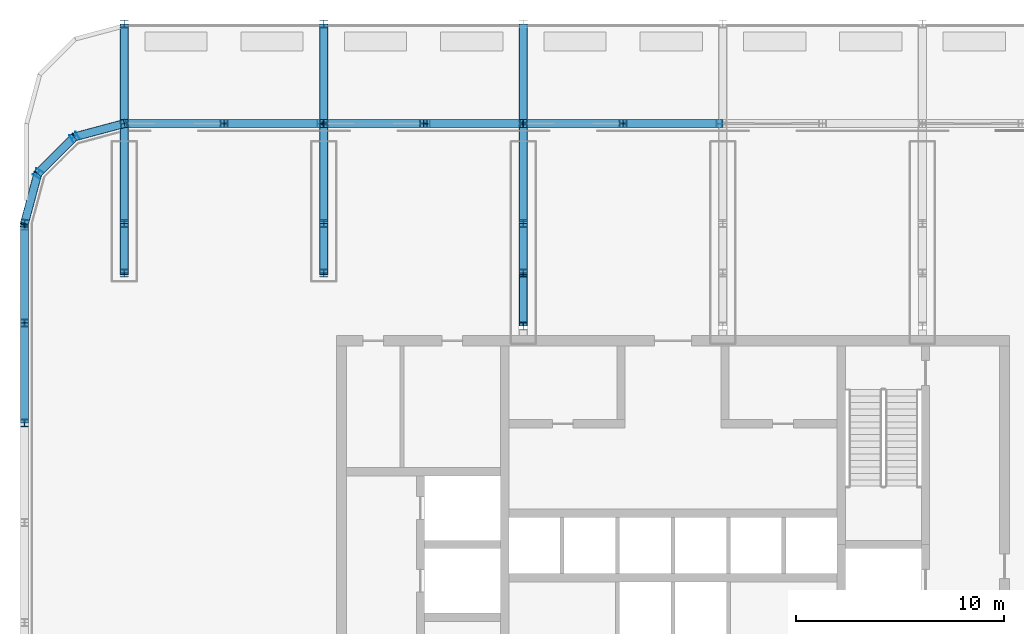
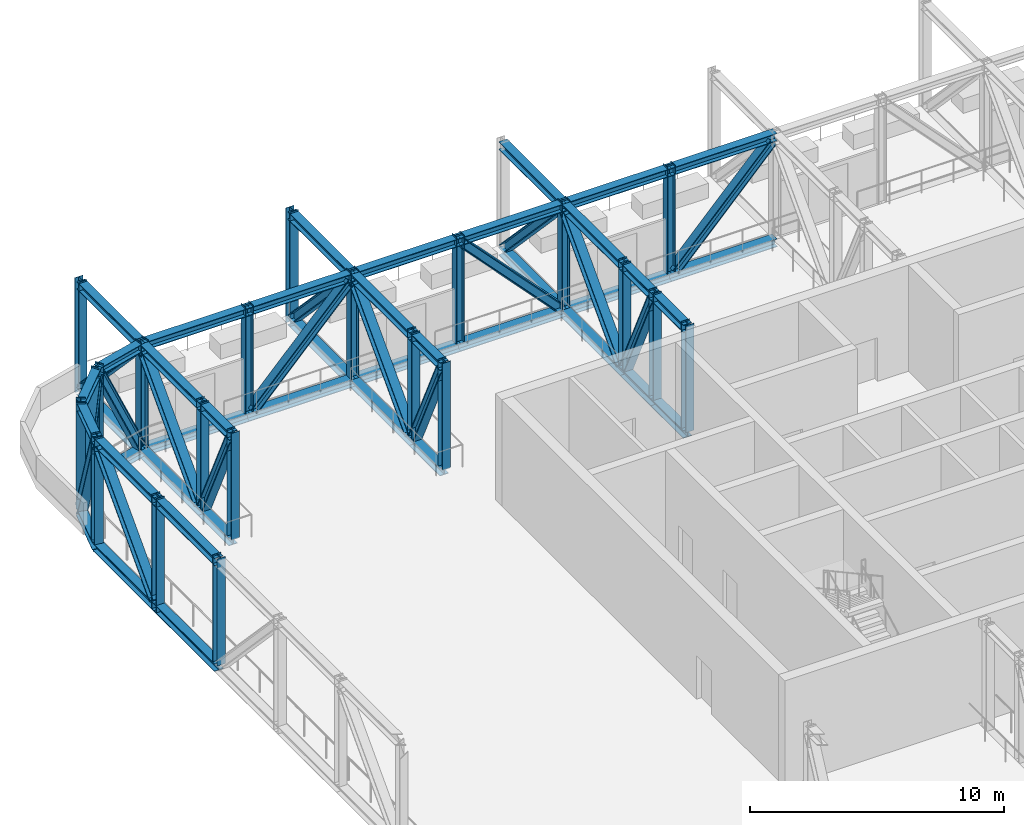
# One storey, part 5 of 16: 78 members.
"""IFC4 building model written with IfcOpenShell, lengths in metres."""

from ifc_helpers import new_model, si_unit, direction, frame, origin, origin_2d, place, context, subcontext, project, spatial, i_section, extrude, material, material_profile, profile_set, type_object, element, save


model = new_model("IFC4")

# Units and contexts
model_context = context("Model", 3, precision=1e-05, world=origin(), true_north=direction((0.0, 1.0)))
body_context = subcontext(model_context, "Body", "Model", "MODEL_VIEW")
ifc_project = project(units=[si_unit("LENGTHUNIT", "METRE"), si_unit("AREAUNIT", "SQUARE_METRE"), si_unit("VOLUMEUNIT", "CUBIC_METRE"), si_unit("PLANEANGLEUNIT", "RADIAN"), si_unit("MASSUNIT", "GRAM", prefix="KILO")], contexts=[model_context])

# Site, building, storey
site_placement = place(None, origin())
site = spatial("IfcSite", under=ifc_project, at=site_placement, CompositionType="ELEMENT")
building_placement = place(site_placement, origin())
building = spatial("IfcBuilding", under=site, at=building_placement, Name="Madar Terraces", CompositionType="ELEMENT")
storey_placement = place(building_placement, frame((0.0, 0.0, 263.199951171875)))
storey = spatial("IfcBuildingStorey", under=building, at=storey_placement, Name="L69", CompositionType="ELEMENT", Elevation=263.199951171875)

# Members
ifc_material_1 = material(Name="Steel ASTM A992 Grade 50", Category="steel")
ifc_material_profile_1 = material_profile(ifc_material_1, i_section(OverallWidth=0.396240234375, OverallDepth=0.381103515625, WebThickness=0.01904296875, FlangeThickness=0.0302734375, at=origin_2d()), Name="W14x159")
ifc_profile_set_1 = profile_set([ifc_material_profile_1], Name="Steel ASTM A992 Grade 50")
member_type_1 = type_object("IfcMemberType", Name="BC9 W14x159", PredefinedType="CHORD", material=ifc_profile_set_1)
for number, where, z_axis, x_axis, name in (
    (1, (33.60009765625, 48.0, -0.2294921875), (-1.0, 0.0, 0.0), (0.0, -1.0, 0.0), "Exoskeleton truss ring bottom chord BC9"),
    (2, (28.800048828125, 48.0, -0.2294921875), (-1.0, 0.0, 0.0), (0.0, -1.0, 0.0), "Exoskeleton truss ring bottom chord BC9"),
    (3, (24.0, 48.0, -0.2294921875), (-1.0, 0.0, 0.0), (0.0, -1.0, 0.0), "Exoskeleton truss ring bottom chord BC9"),
    (4, (19.199951171875, 48.0, -0.2294921875), (-1.0, 0.0, 0.0), (0.0, -1.0, 0.0), "Exoskeleton truss ring bottom chord BC9"),
):
    element("IfcMember", number, at=place(storey_placement, frame(where, z_axis=z_axis, x_axis=x_axis)), inside=storey, type_object=member_type_1, Name=name, PredefinedType="CHORD", context=body_context, shape_type="SweptSolid", body=[
        extrude(i_section(OverallWidth=0.396240234375, OverallDepth=0.381103515625, WebThickness=0.01904296875, FlangeThickness=0.0302734375, at=origin_2d()), origin(), (0.0, 0.0, 1.0), 4.800048828125),
    ])
member_1_placement = place(storey_placement, frame((14.39990234375, 48.0, -0.2294921875), z_axis=(-1.0, 0.0, 0.0), x_axis=(0.0, -1.0, 0.0)))
element("IfcMember", 5, at=member_1_placement, inside=storey, type_object=member_type_1, Name="Exoskeleton truss ring bottom chord BC9", PredefinedType="CHORD", context=body_context, shape_type="SweptSolid", body=[
    extrude(i_section(OverallWidth=0.396240234375, OverallDepth=0.381103515625, WebThickness=0.01904296875, FlangeThickness=0.0302734375, at=origin_2d()), origin(), (0.0, 0.0, 1.0), 4.7998046875),
])
member_2_placement = place(storey_placement, frame((9.60009765625, 48.0, -0.2294921875), z_axis=(-1.0, 0.0, 0.0), x_axis=(0.0, -1.0, 0.0)))
element("IfcMember", 6, at=member_2_placement, inside=storey, type_object=member_type_1, Name="Exoskeleton truss ring bottom chord BC9", PredefinedType="CHORD", context=body_context, shape_type="SweptSolid", body=[
    extrude(i_section(OverallWidth=0.396240234375, OverallDepth=0.381103515625, WebThickness=0.01904296875, FlangeThickness=0.0302734375, at=origin_2d()), origin(), (0.0, 0.0, 1.0), 4.800048828125),
])
member_3_placement = place(storey_placement, frame((4.800048828125, 48.0, -0.2294921875), z_axis=(-0.965930947833, -0.258799930484, 0.0), x_axis=(0.258799930484, -0.965930947833, 0.0)))
element("IfcMember", 7, at=member_3_placement, inside=storey, type_object=member_type_1, Name="Exoskeleton truss ring bottom chord BC9", PredefinedType="CHORD", context=body_context, shape_type="SweptSolid", body=[
    extrude(i_section(OverallWidth=0.396240234375, OverallDepth=0.381103515625, WebThickness=0.01904296875, FlangeThickness=0.0302734375, at=origin_2d()), origin(), (0.0, 0.0, 1.0), 2.48486328125),
])
member_4_placement = place(storey_placement, frame((2.39990234375, 47.35693359375, -0.2294921875), z_axis=(-0.707106781187, -0.707106781187, 0.0), x_axis=(0.707106781187, -0.707106781187, 0.0)))
element("IfcMember", 8, at=member_4_placement, inside=storey, type_object=member_type_1, Name="Exoskeleton truss ring bottom chord BC9", PredefinedType="CHORD", context=body_context, shape_type="SweptSolid", body=[
    extrude(i_section(OverallWidth=0.396240234375, OverallDepth=0.381103515625, WebThickness=0.01904296875, FlangeThickness=0.0302734375, at=origin_2d()), origin(), (0.0, 0.0, 1.0), 2.484619140625),
])
member_5_placement = place(storey_placement, frame((0.64306640625, 45.60009765625, -0.2294921875), z_axis=(-0.258799930484, -0.965930947833, 0.0), x_axis=(0.965930947833, -0.258799930484, 0.0)))
element("IfcMember", 9, at=member_5_placement, inside=storey, type_object=member_type_1, Name="Exoskeleton truss ring bottom chord BC9", PredefinedType="CHORD", context=body_context, shape_type="SweptSolid", body=[
    extrude(i_section(OverallWidth=0.396240234375, OverallDepth=0.381103515625, WebThickness=0.01904296875, FlangeThickness=0.0302734375, at=origin_2d()), origin(), (0.0, 0.0, 1.0), 2.48486328125),
])
member_6_placement = place(storey_placement, frame((0.0, 43.199951171875, -0.2294921875), z_axis=(0.0, -1.0, 0.0), x_axis=(1.0, 0.0, 0.0)))
element("IfcMember", 10, at=member_6_placement, inside=storey, type_object=member_type_1, Name="Exoskeleton truss ring bottom chord BC9", PredefinedType="CHORD", context=body_context, shape_type="SweptSolid", body=[
    extrude(i_section(OverallWidth=0.396240234375, OverallDepth=0.381103515625, WebThickness=0.01904296875, FlangeThickness=0.0302734375, at=origin_2d()), origin(), (0.0, 0.0, 1.0), 4.800048828125),
])
member_7_placement = place(storey_placement, frame((0.0, 38.39990234375, -0.2294921875), z_axis=(0.0, -1.0, 0.0), x_axis=(1.0, 0.0, 0.0)))
element("IfcMember", 11, at=member_7_placement, inside=storey, type_object=member_type_1, Name="Exoskeleton truss ring bottom chord BC9", PredefinedType="CHORD", context=body_context, shape_type="SweptSolid", body=[
    extrude(i_section(OverallWidth=0.396240234375, OverallDepth=0.381103515625, WebThickness=0.01904296875, FlangeThickness=0.0302734375, at=origin_2d()), origin(), (0.0, 0.0, 1.0), 4.7998046875),
])
for number, where, z_axis, x_axis, name in (
    (12, (4.800048828125, 52.800048828125, -0.2294921875), (0.0, -1.0, 0.0), (1.0, 0.0, 0.0), "Exoskeleton truss cross N4.8 bottom chord BC9"),
    (13, (4.800048828125, 47.802001953125, -0.2294921875), (0.0, -1.0, 0.0), (1.0, 0.0, 0.0), "Exoskeleton truss cross N4.8 bottom chord BC9"),
):
    element("IfcMember", number, at=place(storey_placement, frame(where, z_axis=z_axis, x_axis=x_axis)), inside=storey, type_object=member_type_1, Name=name, PredefinedType="CHORD", context=body_context, shape_type="SweptSolid", body=[
        extrude(i_section(OverallWidth=0.396240234375, OverallDepth=0.381103515625, WebThickness=0.01904296875, FlangeThickness=0.0302734375, at=origin_2d()), origin(), (0.0, 0.0, 1.0), 4.60205078125),
    ])
member_8_placement = place(storey_placement, frame((4.800048828125, 43.199951171875, -0.2294921875), z_axis=(0.0, -1.0, 0.0), x_axis=(1.0, 0.0, 0.0)))
element("IfcMember", 14, at=member_8_placement, inside=storey, type_object=member_type_1, Name="Exoskeleton truss cross N4.8 bottom chord BC9", PredefinedType="CHORD", context=body_context, shape_type="SweptSolid", body=[
    extrude(i_section(OverallWidth=0.396240234375, OverallDepth=0.381103515625, WebThickness=0.01904296875, FlangeThickness=0.0302734375, at=origin_2d()), origin(), (0.0, 0.0, 1.0), 2.39990234375),
])
for number, where, z_axis, x_axis, name in (
    (15, (14.39990234375, 52.800048828125, -0.2294921875), (0.0, -1.0, 0.0), (1.0, 0.0, 0.0), "Exoskeleton truss cross N14.4 bottom chord BC9"),
    (16, (14.39990234375, 47.802001953125, -0.2294921875), (0.0, -1.0, 0.0), (1.0, 0.0, 0.0), "Exoskeleton truss cross N14.4 bottom chord BC9"),
):
    element("IfcMember", number, at=place(storey_placement, frame(where, z_axis=z_axis, x_axis=x_axis)), inside=storey, type_object=member_type_1, Name=name, PredefinedType="CHORD", context=body_context, shape_type="SweptSolid", body=[
        extrude(i_section(OverallWidth=0.396240234375, OverallDepth=0.381103515625, WebThickness=0.01904296875, FlangeThickness=0.0302734375, at=origin_2d()), origin(), (0.0, 0.0, 1.0), 4.60205078125),
    ])
member_9_placement = place(storey_placement, frame((14.39990234375, 43.199951171875, -0.2294921875), z_axis=(0.0, -1.0, 0.0), x_axis=(1.0, 0.0, 0.0)))
element("IfcMember", 17, at=member_9_placement, inside=storey, type_object=member_type_1, Name="Exoskeleton truss cross N14.4 bottom chord BC9", PredefinedType="CHORD", context=body_context, shape_type="SweptSolid", body=[
    extrude(i_section(OverallWidth=0.396240234375, OverallDepth=0.381103515625, WebThickness=0.01904296875, FlangeThickness=0.0302734375, at=origin_2d()), origin(), (0.0, 0.0, 1.0), 2.39990234375),
])
for number, where, z_axis, x_axis, name in (
    (18, (24.0, 52.800048828125, -0.2294921875), (0.0, -1.0, 0.0), (1.0, 0.0, 0.0), "Exoskeleton truss cross N24 bottom chord BC9"),
    (19, (24.0, 47.802001953125, -0.2294921875), (0.0, -1.0, 0.0), (1.0, 0.0, 0.0), "Exoskeleton truss cross N24 bottom chord BC9"),
):
    element("IfcMember", number, at=place(storey_placement, frame(where, z_axis=z_axis, x_axis=x_axis)), inside=storey, type_object=member_type_1, Name=name, PredefinedType="CHORD", context=body_context, shape_type="SweptSolid", body=[
        extrude(i_section(OverallWidth=0.396240234375, OverallDepth=0.381103515625, WebThickness=0.01904296875, FlangeThickness=0.0302734375, at=origin_2d()), origin(), (0.0, 0.0, 1.0), 4.60205078125),
    ])
member_10_placement = place(storey_placement, frame((24.0, 43.199951171875, -0.2294921875), z_axis=(0.0, -1.0, 0.0), x_axis=(1.0, 0.0, 0.0)))
element("IfcMember", 20, at=member_10_placement, inside=storey, type_object=member_type_1, Name="Exoskeleton truss cross N24 bottom chord BC9", PredefinedType="CHORD", context=body_context, shape_type="SweptSolid", body=[
    extrude(i_section(OverallWidth=0.396240234375, OverallDepth=0.381103515625, WebThickness=0.01904296875, FlangeThickness=0.0302734375, at=origin_2d()), origin(), (0.0, 0.0, 1.0), 2.39990234375),
])
member_11_placement = place(storey_placement, frame((24.0, 40.800048828125, -0.2294921875), z_axis=(0.0, -1.0, 0.0), x_axis=(1.0, 0.0, 0.0)))
element("IfcMember", 21, at=member_11_placement, inside=storey, type_object=member_type_1, Name="Exoskeleton truss cross N24 bottom chord BC9", PredefinedType="CHORD", context=body_context, shape_type="SweptSolid", body=[
    extrude(i_section(OverallWidth=0.396240234375, OverallDepth=0.381103515625, WebThickness=0.01904296875, FlangeThickness=0.0302734375, at=origin_2d()), origin(), (0.0, 0.0, 1.0), 2.550048828125),
])
ifc_material_2 = material(Name="Steel ASTM A992 Grade 50", Category="steel")
ifc_material_profile_2 = material_profile(ifc_material_2, i_section(OverallWidth=0.373291015625, OverallDepth=0.373291015625, WebThickness=0.016357421875, FlangeThickness=0.026123046875, at=origin_2d()), Name="W14x132")
ifc_profile_set_2 = profile_set([ifc_material_profile_2], Name="Steel ASTM A992 Grade 50")
member_type_2 = type_object("IfcMemberType", Name="TC9 W14x132", PredefinedType="CHORD", material=ifc_profile_set_2)
for number, where, z_axis, x_axis, name in (
    (22, (33.60009765625, 48.0, 4.84326171875), (-1.0, 0.0, 0.0), (0.0, -1.0, 0.0), "Exoskeleton truss ring top chord TC9"),
    (23, (28.800048828125, 48.0, 4.84326171875), (-1.0, 0.0, 0.0), (0.0, -1.0, 0.0), "Exoskeleton truss ring top chord TC9"),
    (24, (24.0, 48.0, 4.84326171875), (-1.0, 0.0, 0.0), (0.0, -1.0, 0.0), "Exoskeleton truss ring top chord TC9"),
    (25, (19.199951171875, 48.0, 4.84326171875), (-1.0, 0.0, 0.0), (0.0, -1.0, 0.0), "Exoskeleton truss ring top chord TC9"),
):
    element("IfcMember", number, at=place(storey_placement, frame(where, z_axis=z_axis, x_axis=x_axis)), inside=storey, type_object=member_type_2, Name=name, PredefinedType="CHORD", context=body_context, shape_type="SweptSolid", body=[
        extrude(i_section(OverallWidth=0.373291015625, OverallDepth=0.373291015625, WebThickness=0.016357421875, FlangeThickness=0.026123046875, at=origin_2d()), origin(), (0.0, 0.0, 1.0), 4.800048828125),
    ])
member_12_placement = place(storey_placement, frame((14.39990234375, 48.0, 4.84326171875), z_axis=(-1.0, 0.0, 0.0), x_axis=(0.0, -1.0, 0.0)))
element("IfcMember", 26, at=member_12_placement, inside=storey, type_object=member_type_2, Name="Exoskeleton truss ring top chord TC9", PredefinedType="CHORD", context=body_context, shape_type="SweptSolid", body=[
    extrude(i_section(OverallWidth=0.373291015625, OverallDepth=0.373291015625, WebThickness=0.016357421875, FlangeThickness=0.026123046875, at=origin_2d()), origin(), (0.0, 0.0, 1.0), 4.7998046875),
])
member_13_placement = place(storey_placement, frame((9.60009765625, 48.0, 4.84326171875), z_axis=(-1.0, 0.0, 0.0), x_axis=(0.0, -1.0, 0.0)))
element("IfcMember", 27, at=member_13_placement, inside=storey, type_object=member_type_2, Name="Exoskeleton truss ring top chord TC9", PredefinedType="CHORD", context=body_context, shape_type="SweptSolid", body=[
    extrude(i_section(OverallWidth=0.373291015625, OverallDepth=0.373291015625, WebThickness=0.016357421875, FlangeThickness=0.026123046875, at=origin_2d()), origin(), (0.0, 0.0, 1.0), 4.800048828125),
])
member_14_placement = place(storey_placement, frame((4.800048828125, 48.0, 4.84326171875), z_axis=(-0.965930947833, -0.258799930484, 0.0), x_axis=(0.258799930484, -0.965930947833, 0.0)))
element("IfcMember", 28, at=member_14_placement, inside=storey, type_object=member_type_2, Name="Exoskeleton truss ring top chord TC9", PredefinedType="CHORD", context=body_context, shape_type="SweptSolid", body=[
    extrude(i_section(OverallWidth=0.373291015625, OverallDepth=0.373291015625, WebThickness=0.016357421875, FlangeThickness=0.026123046875, at=origin_2d()), origin(), (0.0, 0.0, 1.0), 2.48486328125),
])
member_15_placement = place(storey_placement, frame((2.39990234375, 47.35693359375, 4.84326171875), z_axis=(-0.707106781187, -0.707106781187, 0.0), x_axis=(0.707106781187, -0.707106781187, 0.0)))
element("IfcMember", 29, at=member_15_placement, inside=storey, type_object=member_type_2, Name="Exoskeleton truss ring top chord TC9", PredefinedType="CHORD", context=body_context, shape_type="SweptSolid", body=[
    extrude(i_section(OverallWidth=0.373291015625, OverallDepth=0.373291015625, WebThickness=0.016357421875, FlangeThickness=0.026123046875, at=origin_2d()), origin(), (0.0, 0.0, 1.0), 2.484619140625),
])
member_16_placement = place(storey_placement, frame((0.64306640625, 45.60009765625, 4.84326171875), z_axis=(-0.258799930484, -0.965930947833, 0.0), x_axis=(0.965930947833, -0.258799930484, 0.0)))
element("IfcMember", 30, at=member_16_placement, inside=storey, type_object=member_type_2, Name="Exoskeleton truss ring top chord TC9", PredefinedType="CHORD", context=body_context, shape_type="SweptSolid", body=[
    extrude(i_section(OverallWidth=0.373291015625, OverallDepth=0.373291015625, WebThickness=0.016357421875, FlangeThickness=0.026123046875, at=origin_2d()), origin(), (0.0, 0.0, 1.0), 2.48486328125),
])
member_17_placement = place(storey_placement, frame((0.0, 43.199951171875, 4.84326171875), z_axis=(0.0, -1.0, 0.0), x_axis=(1.0, 0.0, 0.0)))
element("IfcMember", 31, at=member_17_placement, inside=storey, type_object=member_type_2, Name="Exoskeleton truss ring top chord TC9", PredefinedType="CHORD", context=body_context, shape_type="SweptSolid", body=[
    extrude(i_section(OverallWidth=0.373291015625, OverallDepth=0.373291015625, WebThickness=0.016357421875, FlangeThickness=0.026123046875, at=origin_2d()), origin(), (0.0, 0.0, 1.0), 4.800048828125),
])
member_18_placement = place(storey_placement, frame((0.0, 38.39990234375, 4.84326171875), z_axis=(0.0, -1.0, 0.0), x_axis=(1.0, 0.0, 0.0)))
element("IfcMember", 32, at=member_18_placement, inside=storey, type_object=member_type_2, Name="Exoskeleton truss ring top chord TC9", PredefinedType="CHORD", context=body_context, shape_type="SweptSolid", body=[
    extrude(i_section(OverallWidth=0.373291015625, OverallDepth=0.373291015625, WebThickness=0.016357421875, FlangeThickness=0.026123046875, at=origin_2d()), origin(), (0.0, 0.0, 1.0), 4.7998046875),
])
for number, where, z_axis, x_axis, name in (
    (33, (4.800048828125, 52.800048828125, 4.84326171875), (0.0, -1.0, 0.0), (1.0, 0.0, 0.0), "Exoskeleton truss cross N4.8 top chord TC9"),
    (34, (4.800048828125, 47.813232421875, 4.84326171875), (0.0, -1.0, 0.0), (1.0, 0.0, 0.0), "Exoskeleton truss cross N4.8 top chord TC9"),
):
    element("IfcMember", number, at=place(storey_placement, frame(where, z_axis=z_axis, x_axis=x_axis)), inside=storey, type_object=member_type_2, Name=name, PredefinedType="CHORD", context=body_context, shape_type="SweptSolid", body=[
        extrude(i_section(OverallWidth=0.373291015625, OverallDepth=0.373291015625, WebThickness=0.016357421875, FlangeThickness=0.026123046875, at=origin_2d()), origin(), (0.0, 0.0, 1.0), 4.61328125),
    ])
member_19_placement = place(storey_placement, frame((4.800048828125, 43.199951171875, 4.84326171875), z_axis=(0.0, -1.0, 0.0), x_axis=(1.0, 0.0, 0.0)))
element("IfcMember", 35, at=member_19_placement, inside=storey, type_object=member_type_2, Name="Exoskeleton truss cross N4.8 top chord TC9", PredefinedType="CHORD", context=body_context, shape_type="SweptSolid", body=[
    extrude(i_section(OverallWidth=0.373291015625, OverallDepth=0.373291015625, WebThickness=0.016357421875, FlangeThickness=0.026123046875, at=origin_2d()), origin(), (0.0, 0.0, 1.0), 2.39990234375),
])
for number, where, z_axis, x_axis, name in (
    (36, (14.39990234375, 52.800048828125, 4.84326171875), (0.0, -1.0, 0.0), (1.0, 0.0, 0.0), "Exoskeleton truss cross N14.4 top chord TC9"),
    (37, (14.39990234375, 47.813232421875, 4.84326171875), (0.0, -1.0, 0.0), (1.0, 0.0, 0.0), "Exoskeleton truss cross N14.4 top chord TC9"),
):
    element("IfcMember", number, at=place(storey_placement, frame(where, z_axis=z_axis, x_axis=x_axis)), inside=storey, type_object=member_type_2, Name=name, PredefinedType="CHORD", context=body_context, shape_type="SweptSolid", body=[
        extrude(i_section(OverallWidth=0.373291015625, OverallDepth=0.373291015625, WebThickness=0.016357421875, FlangeThickness=0.026123046875, at=origin_2d()), origin(), (0.0, 0.0, 1.0), 4.61328125),
    ])
member_20_placement = place(storey_placement, frame((14.39990234375, 43.199951171875, 4.84326171875), z_axis=(0.0, -1.0, 0.0), x_axis=(1.0, 0.0, 0.0)))
element("IfcMember", 38, at=member_20_placement, inside=storey, type_object=member_type_2, Name="Exoskeleton truss cross N14.4 top chord TC9", PredefinedType="CHORD", context=body_context, shape_type="SweptSolid", body=[
    extrude(i_section(OverallWidth=0.373291015625, OverallDepth=0.373291015625, WebThickness=0.016357421875, FlangeThickness=0.026123046875, at=origin_2d()), origin(), (0.0, 0.0, 1.0), 2.39990234375),
])
for number, where, z_axis, x_axis, name in (
    (39, (24.0, 52.800048828125, 4.84326171875), (0.0, -1.0, 0.0), (1.0, 0.0, 0.0), "Exoskeleton truss cross N24 top chord TC9"),
    (40, (24.0, 47.813232421875, 4.84326171875), (0.0, -1.0, 0.0), (1.0, 0.0, 0.0), "Exoskeleton truss cross N24 top chord TC9"),
):
    element("IfcMember", number, at=place(storey_placement, frame(where, z_axis=z_axis, x_axis=x_axis)), inside=storey, type_object=member_type_2, Name=name, PredefinedType="CHORD", context=body_context, shape_type="SweptSolid", body=[
        extrude(i_section(OverallWidth=0.373291015625, OverallDepth=0.373291015625, WebThickness=0.016357421875, FlangeThickness=0.026123046875, at=origin_2d()), origin(), (0.0, 0.0, 1.0), 4.61328125),
    ])
member_21_placement = place(storey_placement, frame((24.0, 43.199951171875, 4.84326171875), z_axis=(0.0, -1.0, 0.0), x_axis=(1.0, 0.0, 0.0)))
element("IfcMember", 41, at=member_21_placement, inside=storey, type_object=member_type_2, Name="Exoskeleton truss cross N24 top chord TC9", PredefinedType="CHORD", context=body_context, shape_type="SweptSolid", body=[
    extrude(i_section(OverallWidth=0.373291015625, OverallDepth=0.373291015625, WebThickness=0.016357421875, FlangeThickness=0.026123046875, at=origin_2d()), origin(), (0.0, 0.0, 1.0), 2.39990234375),
])
member_22_placement = place(storey_placement, frame((24.0, 40.800048828125, 4.84326171875), z_axis=(0.0, -1.0, 0.0), x_axis=(1.0, 0.0, 0.0)))
element("IfcMember", 42, at=member_22_placement, inside=storey, type_object=member_type_2, Name="Exoskeleton truss cross N24 top chord TC9", PredefinedType="CHORD", context=body_context, shape_type="SweptSolid", body=[
    extrude(i_section(OverallWidth=0.373291015625, OverallDepth=0.373291015625, WebThickness=0.016357421875, FlangeThickness=0.026123046875, at=origin_2d()), origin(), (0.0, 0.0, 1.0), 2.550048828125),
])
ifc_material_3 = material(Name="Steel ASTM A992 Grade 50", Category="steel")
ifc_material_profile_3 = material_profile(ifc_material_3, i_section(OverallWidth=0.4013671875, OverallDepth=0.398681640625, WebThickness=0.02490234375, FlangeThickness=0.03955078125, at=origin_2d()), Name="W14x211")
ifc_profile_set_3 = profile_set([ifc_material_profile_3], Name="Steel ASTM A992 Grade 50")
member_type_3 = type_object("IfcMemberType", Name="TD9 W14x211", PredefinedType="BRACE", material=ifc_profile_set_3)
for number, where, z_axis, x_axis, name in (
    (43, (33.42333984375, 48.0, 4.65673828125), (-0.687293038858, 0.0, -0.726380257673), (0.0, -1.0, 0.0), "Exoskeleton truss ring diagonal TD9"),
    (44, (23.81982421875, 48.0, -0.0390625), (-0.687293038858, 0.0, 0.726380257673), (0.0, -1.0, 0.0), "Exoskeleton truss ring diagonal TD9"),
    (45, (14.223388671875, 48.0, 4.65673828125), (-0.687293038858, 0.0, -0.726380257673), (0.0, -1.0, 0.0), "Exoskeleton truss ring diagonal TD9"),
):
    element("IfcMember", number, at=place(storey_placement, frame(where, z_axis=z_axis, x_axis=x_axis)), inside=storey, type_object=member_type_3, Name=name, PredefinedType="BRACE", context=body_context, shape_type="SweptSolid", body=[
        extrude(i_section(OverallWidth=0.4013671875, OverallDepth=0.398681640625, WebThickness=0.02490234375, FlangeThickness=0.03955078125, at=origin_2d()), origin(), (0.0, 0.0, 1.0), 6.464599609375),
    ])
for number, where, z_axis, x_axis, name in (
    (46, (4.7099609375, 47.975830078125, -0.0390625), (-0.424890223402, -0.113833226885, 0.898059182078), (0.258785605263, -0.965934785847, 0.0), "Exoskeleton truss ring diagonal TD9"),
    (47, (2.33544921875, 47.292236328125, 4.65673828125), (-0.311057904871, -0.311011213501, -0.898061804607), (0.707053705054, -0.707159853336, 0.0), "Exoskeleton truss ring diagonal TD9"),
    (48, (0.618896484375, 45.509765625, -0.0390625), (-0.113835485125, -0.424851960278, 0.89807699791), (0.965927676111, -0.258812141374, 0.0), "Exoskeleton truss ring diagonal TD9"),
):
    element("IfcMember", number, at=place(storey_placement, frame(where, z_axis=z_axis, x_axis=x_axis)), inside=storey, type_object=member_type_3, Name=name, PredefinedType="BRACE", context=body_context, shape_type="SweptSolid", body=[
        extrude(i_section(OverallWidth=0.4013671875, OverallDepth=0.398681640625, WebThickness=0.02490234375, FlangeThickness=0.03955078125, at=origin_2d()), origin(), (0.0, 0.0, 1.0), 5.228759765625),
    ])
member_23_placement = place(storey_placement, frame((0.0, 43.0234375, 4.65673828125), z_axis=(0.0, -0.687293038858, -0.726380257673), x_axis=(1.0, 0.0, 0.0)))
element("IfcMember", 49, at=member_23_placement, inside=storey, type_object=member_type_3, Name="Exoskeleton truss ring diagonal TD9", PredefinedType="BRACE", context=body_context, shape_type="SweptSolid", body=[
    extrude(i_section(OverallWidth=0.4013671875, OverallDepth=0.398681640625, WebThickness=0.02490234375, FlangeThickness=0.03955078125, at=origin_2d()), origin(), (0.0, 0.0, 1.0), 6.464599609375),
])
for number, where, z_axis, x_axis, name in (
    (50, (4.800048828125, 52.61962890625, -0.0390625), (0.0, -0.687292950372, 0.726380341398), (1.0, 0.0, 0.0), "Exoskeleton truss cross N4.8 diagonal TD9"),
    (51, (4.800048828125, 47.802001953125, 4.634033203125), (0.0, -0.687292950372, -0.726380341398), (1.0, 0.0, 0.0), "Exoskeleton truss cross N4.8 diagonal TD9"),
):
    element("IfcMember", number, at=place(storey_placement, frame(where, z_axis=z_axis, x_axis=x_axis)), inside=storey, type_object=member_type_3, Name=name, PredefinedType="BRACE", context=body_context, shape_type="SweptSolid", body=[
        extrude(i_section(OverallWidth=0.4013671875, OverallDepth=0.398681640625, WebThickness=0.02490234375, FlangeThickness=0.03955078125, at=origin_2d()), origin(), (0.0, 0.0, 1.0), 6.433349609375),
    ])
member_24_placement = place(storey_placement, frame((4.800048828125, 43.10986328125, -0.0390625), z_axis=(0.0, -0.427631731749, 0.903953041923), x_axis=(1.0, 0.0, 0.0)))
element("IfcMember", 52, at=member_24_placement, inside=storey, type_object=member_type_3, Name="Exoskeleton truss cross N4.8 diagonal TD9", PredefinedType="BRACE", context=body_context, shape_type="SweptSolid", body=[
    extrude(i_section(OverallWidth=0.4013671875, OverallDepth=0.398681640625, WebThickness=0.02490234375, FlangeThickness=0.03955078125, at=origin_2d()), origin(), (0.0, 0.0, 1.0), 5.19482421875),
])
for number, where, z_axis, x_axis, name in (
    (53, (14.39990234375, 52.61962890625, -0.0390625), (0.0, -0.687292950372, 0.726380341398), (1.0, 0.0, 0.0), "Exoskeleton truss cross N14.4 diagonal TD9"),
    (54, (14.39990234375, 47.802001953125, 4.634033203125), (0.0, -0.687292950372, -0.726380341398), (1.0, 0.0, 0.0), "Exoskeleton truss cross N14.4 diagonal TD9"),
):
    element("IfcMember", number, at=place(storey_placement, frame(where, z_axis=z_axis, x_axis=x_axis)), inside=storey, type_object=member_type_3, Name=name, PredefinedType="BRACE", context=body_context, shape_type="SweptSolid", body=[
        extrude(i_section(OverallWidth=0.4013671875, OverallDepth=0.398681640625, WebThickness=0.02490234375, FlangeThickness=0.03955078125, at=origin_2d()), origin(), (0.0, 0.0, 1.0), 6.433349609375),
    ])
member_25_placement = place(storey_placement, frame((14.39990234375, 43.10986328125, -0.0390625), z_axis=(0.0, -0.427631731749, 0.903953041923), x_axis=(1.0, 0.0, 0.0)))
element("IfcMember", 55, at=member_25_placement, inside=storey, type_object=member_type_3, Name="Exoskeleton truss cross N14.4 diagonal TD9", PredefinedType="BRACE", context=body_context, shape_type="SweptSolid", body=[
    extrude(i_section(OverallWidth=0.4013671875, OverallDepth=0.398681640625, WebThickness=0.02490234375, FlangeThickness=0.03955078125, at=origin_2d()), origin(), (0.0, 0.0, 1.0), 5.19482421875),
])
for number, where, z_axis, x_axis, name in (
    (56, (24.0, 52.61962890625, -0.0390625), (0.0, -0.687292950372, 0.726380341398), (1.0, 0.0, 0.0), "Exoskeleton truss cross N24 diagonal TD9"),
    (57, (24.0, 47.802001953125, 4.634033203125), (0.0, -0.687292950372, -0.726380341398), (1.0, 0.0, 0.0), "Exoskeleton truss cross N24 diagonal TD9"),
):
    element("IfcMember", number, at=place(storey_placement, frame(where, z_axis=z_axis, x_axis=x_axis)), inside=storey, type_object=member_type_3, Name=name, PredefinedType="BRACE", context=body_context, shape_type="SweptSolid", body=[
        extrude(i_section(OverallWidth=0.4013671875, OverallDepth=0.398681640625, WebThickness=0.02490234375, FlangeThickness=0.03955078125, at=origin_2d()), origin(), (0.0, 0.0, 1.0), 6.433349609375),
    ])
member_26_placement = place(storey_placement, frame((24.0, 43.10986328125, -0.0390625), z_axis=(0.0, -0.427631731749, 0.903953041923), x_axis=(1.0, 0.0, 0.0)))
element("IfcMember", 58, at=member_26_placement, inside=storey, type_object=member_type_3, Name="Exoskeleton truss cross N24 diagonal TD9", PredefinedType="BRACE", context=body_context, shape_type="SweptSolid", body=[
    extrude(i_section(OverallWidth=0.4013671875, OverallDepth=0.398681640625, WebThickness=0.02490234375, FlangeThickness=0.03955078125, at=origin_2d()), origin(), (0.0, 0.0, 1.0), 5.19482421875),
])
ifc_material_4 = material(Name="Steel ASTM A992 Grade 50", Category="steel")
ifc_material_profile_4 = material_profile(ifc_material_4, i_section(OverallWidth=0.370849609375, OverallDepth=0.36328125, WebThickness=0.013427734375, FlangeThickness=0.021728515625, at=origin_2d()), Name="W14x109")
ifc_profile_set_4 = profile_set([ifc_material_profile_4], Name="Steel ASTM A992 Grade 50")
member_type_4 = type_object("IfcMemberType", Name="TV9 W14x109", PredefinedType="POST", material=ifc_profile_set_4)
for number, where, z_axis, x_axis, name in (
    (59, (28.800048828125, 48.0, -0.0390625), (0.0, 0.0, 1.0), (0.0, -1.0, 0.0), "Exoskeleton truss ring post TV9"),
    (60, (24.0, 48.0, -0.0390625), (0.0, 0.0, 1.0), (0.0, -1.0, 0.0), "Exoskeleton truss ring post TV9"),
    (61, (19.199951171875, 48.0, -0.0390625), (0.0, 0.0, 1.0), (0.0, -1.0, 0.0), "Exoskeleton truss ring post TV9"),
    (62, (14.39990234375, 48.0, -0.0390625), (0.0, 0.0, 1.0), (0.0, -1.0, 0.0), "Exoskeleton truss ring post TV9"),
    (63, (9.60009765625, 48.0, -0.0390625), (0.0, 0.0, 1.0), (0.0, -1.0, 0.0), "Exoskeleton truss ring post TV9"),
    (64, (4.800048828125, 48.0, -0.0390625), (0.0, 0.0, 1.0), (0.130526174916, -0.991444863652, 0.0), "Exoskeleton truss ring post TV9"),
    (65, (2.39990234375, 47.35693359375, -0.0390625), (0.0, 0.0, 1.0), (0.499999984885, -0.866025412511, 0.0), "Exoskeleton truss ring post TV9"),
    (66, (0.64306640625, 45.60009765625, -0.0390625), (0.0, 0.0, 1.0), (0.866025412511, -0.499999984885, 0.0), "Exoskeleton truss ring post TV9"),
    (67, (0.0, 43.199951171875, -0.0390625), (0.0, 0.0, 1.0), (0.991444863652, -0.130526174916, 0.0), "Exoskeleton truss ring post TV9"),
):
    element("IfcMember", number, at=place(storey_placement, frame(where, z_axis=z_axis, x_axis=x_axis)), inside=storey, type_object=member_type_4, Name=name, PredefinedType="POST", context=body_context, shape_type="SweptSolid", body=[
        extrude(i_section(OverallWidth=0.370849609375, OverallDepth=0.36328125, WebThickness=0.013427734375, FlangeThickness=0.021728515625, at=origin_2d()), origin(), (0.0, 0.0, 1.0), 5.13916015625),
    ])
member_27_placement = place(storey_placement, frame((0.0, 38.39990234375, -0.419921875), z_axis=(0.0, 0.0, 1.0), x_axis=(1.0, 0.0, 0.0)))
element("IfcMember", 68, at=member_27_placement, inside=storey, type_object=member_type_4, Name="Exoskeleton truss ring post TV9", PredefinedType="POST", context=body_context, shape_type="SweptSolid", body=[
    extrude(i_section(OverallWidth=0.370849609375, OverallDepth=0.36328125, WebThickness=0.013427734375, FlangeThickness=0.021728515625, at=origin_2d()), origin(), (0.0, 0.0, 1.0), 5.52001953125),
])
member_28_placement = place(storey_placement, frame((0.0, 33.60009765625, -0.0390625), z_axis=(0.0, 0.0, 1.0), x_axis=(1.0, 0.0, 0.0)))
element("IfcMember", 69, at=member_28_placement, inside=storey, type_object=member_type_4, Name="Exoskeleton truss ring post TV9", PredefinedType="POST", context=body_context, shape_type="SweptSolid", body=[
    extrude(i_section(OverallWidth=0.370849609375, OverallDepth=0.36328125, WebThickness=0.013427734375, FlangeThickness=0.021728515625, at=origin_2d()), origin(), (0.0, 0.0, 1.0), 5.13916015625),
])
member_29_placement = place(storey_placement, frame((4.800048828125, 52.800048828125, -0.419921875), z_axis=(0.0, 0.0, 1.0), x_axis=(-1.0, 0.0, 0.0)))
element("IfcMember", 70, at=member_29_placement, inside=storey, type_object=member_type_4, Name="Exoskeleton truss cross N4.8 post TV9", PredefinedType="POST", context=body_context, shape_type="SweptSolid", body=[
    extrude(i_section(OverallWidth=0.370849609375, OverallDepth=0.36328125, WebThickness=0.013427734375, FlangeThickness=0.021728515625, at=origin_2d()), origin(), (0.0, 0.0, 1.0), 5.52001953125),
])
for number, where, z_axis, x_axis, name in (
    (71, (4.800048828125, 43.199951171875, -0.0390625), (0.0, 0.0, 1.0), (-1.0, 0.0, 0.0), "Exoskeleton truss cross N4.8 post TV9"),
    (72, (4.800048828125, 40.800048828125, -0.0390625), (0.0, 0.0, 1.0), (-1.0, 0.0, 0.0), "Exoskeleton truss cross N4.8 post TV9"),
):
    element("IfcMember", number, at=place(storey_placement, frame(where, z_axis=z_axis, x_axis=x_axis)), inside=storey, type_object=member_type_4, Name=name, PredefinedType="POST", context=body_context, shape_type="SweptSolid", body=[
        extrude(i_section(OverallWidth=0.370849609375, OverallDepth=0.36328125, WebThickness=0.013427734375, FlangeThickness=0.021728515625, at=origin_2d()), origin(), (0.0, 0.0, 1.0), 5.13916015625),
    ])
member_30_placement = place(storey_placement, frame((14.39990234375, 52.800048828125, -0.419921875), z_axis=(0.0, 0.0, 1.0), x_axis=(-1.0, 0.0, 0.0)))
element("IfcMember", 73, at=member_30_placement, inside=storey, type_object=member_type_4, Name="Exoskeleton truss cross N14.4 post TV9", PredefinedType="POST", context=body_context, shape_type="SweptSolid", body=[
    extrude(i_section(OverallWidth=0.370849609375, OverallDepth=0.36328125, WebThickness=0.013427734375, FlangeThickness=0.021728515625, at=origin_2d()), origin(), (0.0, 0.0, 1.0), 5.52001953125),
])
for number, where, z_axis, x_axis, name in (
    (74, (14.39990234375, 43.199951171875, -0.0390625), (0.0, 0.0, 1.0), (-1.0, 0.0, 0.0), "Exoskeleton truss cross N14.4 post TV9"),
    (75, (14.39990234375, 40.800048828125, -0.0390625), (0.0, 0.0, 1.0), (-1.0, 0.0, 0.0), "Exoskeleton truss cross N14.4 post TV9"),
    (76, (24.0, 43.199951171875, -0.0390625), (0.0, 0.0, 1.0), (-1.0, 0.0, 0.0), "Exoskeleton truss cross N24 post TV9"),
    (77, (24.0, 40.800048828125, -0.0390625), (0.0, 0.0, 1.0), (-1.0, 0.0, 0.0), "Exoskeleton truss cross N24 post TV9"),
    (78, (24.0, 38.25, -0.0390625), (0.0, 0.0, 1.0), (-1.0, 0.0, 0.0), "Exoskeleton truss cross N24 post TV9"),
):
    element("IfcMember", number, at=place(storey_placement, frame(where, z_axis=z_axis, x_axis=x_axis)), inside=storey, type_object=member_type_4, Name=name, PredefinedType="POST", context=body_context, shape_type="SweptSolid", body=[
        extrude(i_section(OverallWidth=0.370849609375, OverallDepth=0.36328125, WebThickness=0.013427734375, FlangeThickness=0.021728515625, at=origin_2d()), origin(), (0.0, 0.0, 1.0), 5.13916015625),
    ])

save(model, "model.ifc")
